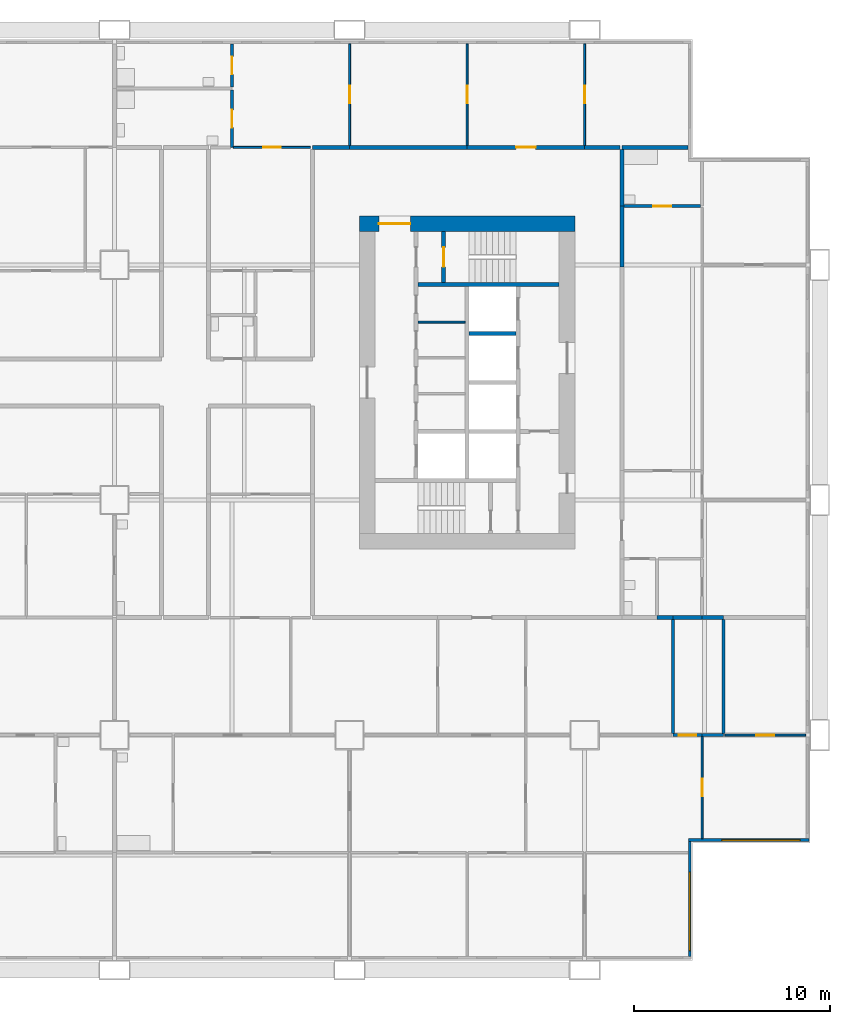
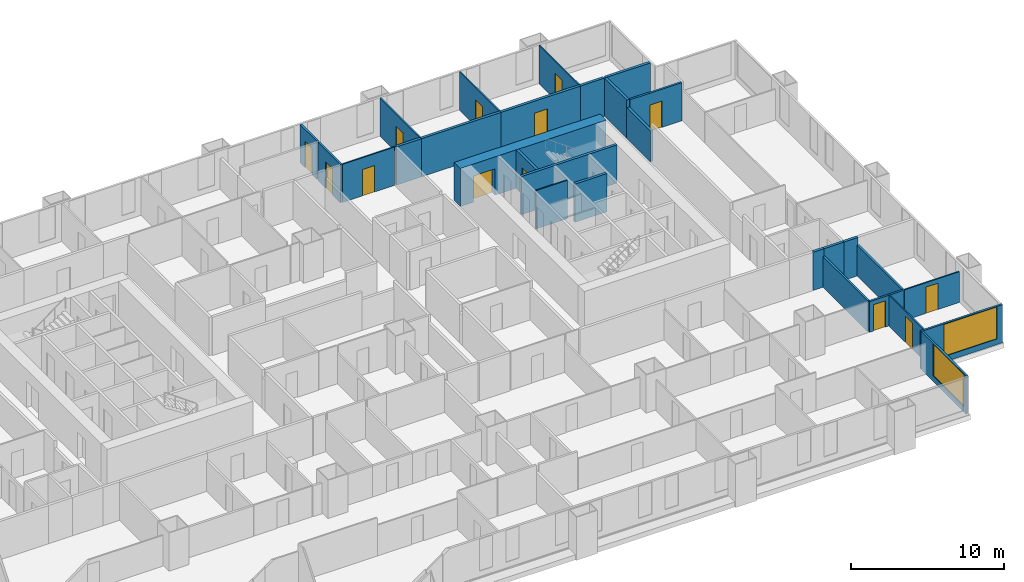
# One storey, part 10 of 14: 30 walls, 13 doors, 2 windows, 15 openings.
"""IFC4 building model written with IfcOpenShell, lengths in metres."""

from ifc_helpers import new_model, si_unit, direction, frame, frame_2d, origin, place, context, subcontext, project, spatial, rectangle, extrude, material, layer, layer_set, type_object, element, fill, save


model = new_model("IFC4")

# Units and contexts
model_context = context("Model", 3, precision=1e-05, world=origin(), true_north=direction((0.0, 1.0)))
body_context = subcontext(model_context, "Body", "Model", "MODEL_VIEW")
ifc_project = project(units=[si_unit("LENGTHUNIT", "METRE"), si_unit("AREAUNIT", "SQUARE_METRE"), si_unit("VOLUMEUNIT", "CUBIC_METRE"), si_unit("PLANEANGLEUNIT", "RADIAN"), si_unit("MASSUNIT", "GRAM", prefix="KILO")], contexts=[model_context])

# Site, building, storey
site_placement = place(None, origin())
site = spatial("IfcSite", under=ifc_project, at=site_placement, CompositionType="ELEMENT")
building_placement = place(site_placement, origin())
building = spatial("IfcBuilding", under=site, at=building_placement, Name="Kitamizu Gate Tower and Museum", CompositionType="ELEMENT")
storey_placement = place(building_placement, frame((0.0, 0.0, 74.85009765625)))
storey = spatial("IfcBuildingStorey", under=building, at=storey_placement, Name="L18", CompositionType="ELEMENT", Elevation=74.85009765625)

# Wall, opening, door
ifc_material_1 = material(Name="Concrete Fc60", Category="concrete")
ifc_layer_1 = layer(ifc_material_1, 0.800048828125)
ifc_layer_set_1 = layer_set([ifc_layer_1], Name="Concrete Fc60")
wall_type_1 = type_object("IfcWallType", Name="Core wall 800", PredefinedType="SHEAR", material=ifc_layer_set_1)
wall_1_placement = place(storey_placement, frame((59.5, 38.10009765625, 0.0), z_axis=(0.0, 0.0, 1.0), x_axis=(-1.0, 0.0, 0.0)))
wall_1 = element("IfcWall", 1, at=wall_1_placement, inside=storey, type_object=wall_type_1, Name="Core wall EN", PredefinedType="SHEAR", context=body_context, shape_type="SweptSolid", body=[
    extrude(rectangle(XDim=11.0, YDim=0.800048828125, at=frame_2d((5.5, 0.0))), origin(), (0.0, 0.0, 1.0), 3.0498046875),
])
opening_1_placement = place(wall_1_placement, frame((8.39990234375, 0.0, 0.0)))
opening_1 = element("IfcOpeningElement", 2, at=opening_1_placement, cuts=wall_1, Name="Opening L18-091", PredefinedType="OPENING", context=body_context, shape_type="SweptSolid", body=[
    extrude(rectangle(XDim=1.60009765625, YDim=2.10009765625, at=frame_2d((0.800048828125, 1.050048828125))), frame((0.0, 0.41015625, 0.0), z_axis=(0.0, -1.0, 0.0), x_axis=(1.0, 0.0, 0.0)), (0.0, 0.0, 1.0), 0.820068359375),
])
ifc_material_2 = material(Name="Timber door set", Category="wood")
door_type_1 = type_object("IfcDoorType", Name="Entrance door 1600", OperationType="DOUBLE_DOOR_SINGLE_SWING", PredefinedType="DOOR", material=ifc_material_2)
door_1_placement = place(opening_1_placement, origin())
door_1 = element("IfcDoor", 3, at=door_1_placement, inside=storey, type_object=door_type_1, Name="Lobby door L18-091", OperationType="DOUBLE_DOOR_SINGLE_SWING", OverallHeight=2.10009765625, OverallWidth=1.60009765625, PredefinedType="DOOR", context=body_context, shape_type="SweptSolid", body=[
    extrude(rectangle(XDim=1.60009765625, YDim=2.10009765625, at=frame_2d((0.800048828125, 1.050048828125))), frame((0.0, 0.02490234375, 0.0), z_axis=(0.0, -1.0, 0.0), x_axis=(1.0, 0.0, 0.0)), (0.0, 0.0, 1.0), 0.050048828125),
])
fill(opening_1, door_1)

# Wall
ifc_material_3 = material(Name="Gypsum board on galvanised stud")
ifc_layer_2 = layer(ifc_material_3, 0.10009765625)
ifc_layer_set_2 = layer_set([ifc_layer_2], Name="Gypsum board on galvanised stud")
wall_type_2 = type_object("IfcWallType", Name="Partition 100", PredefinedType="PARTITIONING", material=ifc_layer_set_2)
wall_2_placement = place(storey_placement, frame((53.89990234375, 33.074951171875, 0.0), z_axis=(0.0, 0.0, 1.0), x_axis=(-1.0, 0.0, 0.0)))
element("IfcWall", 4, at=wall_2_placement, inside=storey, type_object=wall_type_2, Name="Partition EPF3", PredefinedType="PARTITIONING", context=body_context, shape_type="SweptSolid", body=[
    extrude(rectangle(XDim=2.39990234375, YDim=0.10009765625, at=frame_2d((1.199951171875, 0.0))), origin(), (0.0, 0.0, 1.0), 3.0498046875),
])

# Wall, opening, door
ifc_material_4 = material(Name="Gypsum board on galvanised stud")
ifc_layer_3 = layer(ifc_material_4, 0.10009765625)
ifc_layer_set_3 = layer_set([ifc_layer_3], Name="Gypsum board on galvanised stud")
wall_type_3 = type_object("IfcWallType", Name="Partition 100 NOT RATED", PredefinedType="PARTITIONING", material=ifc_layer_set_3)
wall_3_placement = place(storey_placement, frame((66.0, 6.719970703125, 0.0), z_axis=(0.0, 0.0, 1.0), x_axis=(0.0, 1.0, 0.0)))
wall_3 = element("IfcWall", 5, at=wall_3_placement, inside=storey, type_object=wall_type_3, Name="Partition L18-091", PredefinedType="PARTITIONING", context=body_context, shape_type="SweptSolid", body=[
    extrude(rectangle(XDim=5.205078125, YDim=0.10009765625, at=frame_2d((2.6025390625, 0.0))), origin(), (0.0, 0.0, 1.0), 2.449951171875),
])
opening_2_placement = place(wall_3_placement, frame((2.152587890625, 0.0, 0.0)))
opening_2 = element("IfcOpeningElement", 6, at=opening_2_placement, cuts=wall_3, Name="Opening L18-033", PredefinedType="OPENING", context=body_context, shape_type="SweptSolid", body=[
    extrude(rectangle(XDim=0.89990234375, YDim=2.10009765625, at=frame_2d((0.449951171875, 1.050048828125))), frame((0.0, 0.06005859375, 0.0), z_axis=(0.0, -1.0, 0.0), x_axis=(1.0, 0.0, 0.0)), (0.0, 0.0, 1.0), 0.1201171875),
])
ifc_material_5 = material(Name="Timber door set", Category="wood")
door_type_2 = type_object("IfcDoorType", Name="Room door 900", OperationType="NOTDEFINED", PredefinedType="DOOR", material=ifc_material_5)
door_2_placement = place(opening_2_placement, origin())
door_2 = element("IfcDoor", 7, at=door_2_placement, inside=storey, type_object=door_type_2, Name="Door L18-033", OperationType="SINGLE_SWING_LEFT", OverallHeight=2.10009765625, OverallWidth=0.89990234375, PredefinedType="DOOR", context=body_context, shape_type="SweptSolid", body=[
    extrude(rectangle(XDim=0.89990234375, YDim=2.10009765625, at=frame_2d((0.449951171875, 1.050048828125))), frame((0.0, 0.02490234375, 0.0), z_axis=(0.0, -1.0, 0.0), x_axis=(1.0, 0.0, 0.0)), (0.0, 0.0, 1.0), 0.050048828125),
])
fill(opening_2, door_2)

wall_4_placement = place(storey_placement, frame((71.280029296875, 12.0, 0.0), z_axis=(0.0, 0.0, 1.0), x_axis=(-1.0, 0.0, 0.0)))
wall_4 = element("IfcWall", 8, at=wall_4_placement, inside=storey, type_object=wall_type_3, Name="Partition L18-095", PredefinedType="PARTITIONING", context=body_context, shape_type="SweptSolid", body=[
    extrude(rectangle(XDim=4.129150390625, YDim=0.10009765625, at=frame_2d((2.064453125, 0.0))), origin(), (0.0, 0.0, 1.0), 2.449951171875),
])
opening_3_placement = place(wall_4_placement, frame((1.614501953125, 0.0, 0.0)))
opening_3 = element("IfcOpeningElement", 9, at=opening_3_placement, cuts=wall_4, Name="Opening L18-039", PredefinedType="OPENING", context=body_context, shape_type="SweptSolid", body=[
    extrude(rectangle(XDim=0.89990234375, YDim=2.10009765625, at=frame_2d((0.449951171875, 1.050048828125))), frame((0.0, 0.06005859375, 0.0), z_axis=(0.0, -1.0, 0.0), x_axis=(1.0, 0.0, 0.0)), (0.0, 0.0, 1.0), 0.1201171875),
])
door_3_placement = place(opening_3_placement, frame((0.89990234375, 0.0, 0.0), x_axis=(-1.0, 0.0, 0.0)))
door_3 = element("IfcDoor", 10, at=door_3_placement, inside=storey, type_object=door_type_2, Name="Door L18-039", OperationType="SINGLE_SWING_RIGHT", OverallHeight=2.10009765625, OverallWidth=0.89990234375, PredefinedType="DOOR", context=body_context, shape_type="SweptSolid", body=[
    extrude(rectangle(XDim=0.89990234375, YDim=2.10009765625, at=frame_2d((0.449951171875, 1.050048828125))), frame((0.0, 0.02490234375, 0.0), z_axis=(0.0, -1.0, 0.0), x_axis=(1.0, 0.0, 0.0)), (0.0, 0.0, 1.0), 0.050048828125),
])
fill(opening_3, door_3)

wall_5_placement = place(storey_placement, frame((48.0, 42.10009765625, 0.0), z_axis=(0.0, 0.0, 1.0), x_axis=(0.0, 1.0, 0.0)))
wall_5 = element("IfcWall", 11, at=wall_5_placement, inside=storey, type_object=wall_type_3, Name="Partition L18-176", PredefinedType="PARTITIONING", context=body_context, shape_type="SweptSolid", body=[
    extrude(rectangle(XDim=5.179931640625, YDim=0.10009765625, at=frame_2d((2.58984375, 0.0))), origin(), (0.0, 0.0, 1.0), 3.0498046875),
])
opening_4_placement = place(wall_5_placement, frame((2.139892578125, 0.0, 0.0)))
opening_4 = element("IfcOpeningElement", 12, at=opening_4_placement, cuts=wall_5, Name="Opening L18-064", PredefinedType="OPENING", context=body_context, shape_type="SweptSolid", body=[
    extrude(rectangle(XDim=0.89990234375, YDim=2.10009765625, at=frame_2d((0.449951171875, 1.050048828125))), frame((0.0, 0.06005859375, 0.0), z_axis=(0.0, -1.0, 0.0), x_axis=(1.0, 0.0, 0.0)), (0.0, 0.0, 1.0), 0.1201171875),
])
door_4_placement = place(opening_4_placement, origin())
door_4 = element("IfcDoor", 13, at=door_4_placement, inside=storey, type_object=door_type_2, Name="Door L18-064", OperationType="SINGLE_SWING_LEFT", OverallHeight=2.10009765625, OverallWidth=0.89990234375, PredefinedType="DOOR", context=body_context, shape_type="SweptSolid", body=[
    extrude(rectangle(XDim=0.89990234375, YDim=2.10009765625, at=frame_2d((0.449951171875, 1.050048828125))), frame((0.0, 0.02490234375, 0.0), z_axis=(0.0, -1.0, 0.0), x_axis=(1.0, 0.0, 0.0)), (0.0, 0.0, 1.0), 0.050048828125),
])
fill(opening_4, door_4)

wall_6_placement = place(storey_placement, frame((42.074951171875, 42.0, 0.0), z_axis=(0.0, 0.0, 1.0), x_axis=(1.0, 0.0, 0.0)))
wall_6 = element("IfcWall", 14, at=wall_6_placement, inside=storey, type_object=wall_type_3, Name="Partition L18-177", PredefinedType="PARTITIONING", context=body_context, shape_type="SweptSolid", body=[
    extrude(rectangle(XDim=3.925048828125, YDim=0.10009765625, at=frame_2d((1.96240234375, 0.0))), origin(), (0.0, 0.0, 1.0), 3.0498046875),
])
opening_5_placement = place(wall_6_placement, frame((1.512451171875, 0.0, 0.0)))
opening_5 = element("IfcOpeningElement", 15, at=opening_5_placement, cuts=wall_6, Name="Opening L18-067", PredefinedType="OPENING", context=body_context, shape_type="SweptSolid", body=[
    extrude(rectangle(XDim=0.89990234375, YDim=2.10009765625, at=frame_2d((0.449951171875, 1.050048828125))), frame((0.0, 0.06005859375, 0.0), z_axis=(0.0, -1.0, 0.0), x_axis=(1.0, 0.0, 0.0)), (0.0, 0.0, 1.0), 0.1201171875),
])
door_5_placement = place(opening_5_placement, origin())
door_5 = element("IfcDoor", 16, at=door_5_placement, inside=storey, type_object=door_type_2, Name="Door L18-067", OperationType="SINGLE_SWING_RIGHT", OverallHeight=2.10009765625, OverallWidth=0.89990234375, PredefinedType="DOOR", context=body_context, shape_type="SweptSolid", body=[
    extrude(rectangle(XDim=0.89990234375, YDim=2.10009765625, at=frame_2d((0.449951171875, 1.050048828125))), frame((0.0, 0.02490234375, 0.0), z_axis=(0.0, -1.0, 0.0), x_axis=(1.0, 0.0, 0.0)), (0.0, 0.0, 1.0), 0.050048828125),
])
fill(opening_5, door_5)

wall_7_placement = place(storey_placement, frame((54.0, 42.10009765625, 0.0), z_axis=(0.0, 0.0, 1.0), x_axis=(0.0, 1.0, 0.0)))
wall_7 = element("IfcWall", 17, at=wall_7_placement, inside=storey, type_object=wall_type_3, Name="Partition L18-179", PredefinedType="PARTITIONING", context=body_context, shape_type="SweptSolid", body=[
    extrude(rectangle(XDim=5.179931640625, YDim=0.10009765625, at=frame_2d((2.58984375, 0.0))), origin(), (0.0, 0.0, 1.0), 3.0498046875),
])
opening_6_placement = place(wall_7_placement, frame((2.139892578125, 0.0, 0.0)))
opening_6 = element("IfcOpeningElement", 18, at=opening_6_placement, cuts=wall_7, Name="Opening L18-062", PredefinedType="OPENING", context=body_context, shape_type="SweptSolid", body=[
    extrude(rectangle(XDim=0.89990234375, YDim=2.10009765625, at=frame_2d((0.449951171875, 1.050048828125))), frame((0.0, 0.06005859375, 0.0), z_axis=(0.0, -1.0, 0.0), x_axis=(1.0, 0.0, 0.0)), (0.0, 0.0, 1.0), 0.1201171875),
])
door_6_placement = place(opening_6_placement, origin())
door_6 = element("IfcDoor", 19, at=door_6_placement, inside=storey, type_object=door_type_2, Name="Door L18-062", OperationType="SINGLE_SWING_LEFT", OverallHeight=2.10009765625, OverallWidth=0.89990234375, PredefinedType="DOOR", context=body_context, shape_type="SweptSolid", body=[
    extrude(rectangle(XDim=0.89990234375, YDim=2.10009765625, at=frame_2d((0.449951171875, 1.050048828125))), frame((0.0, 0.02490234375, 0.0), z_axis=(0.0, -1.0, 0.0), x_axis=(1.0, 0.0, 0.0)), (0.0, 0.0, 1.0), 0.050048828125),
])
fill(opening_6, door_6)

wall_8_placement = place(storey_placement, frame((60.0, 42.10009765625, 0.0), z_axis=(0.0, 0.0, 1.0), x_axis=(0.0, 1.0, 0.0)))
wall_8 = element("IfcWall", 20, at=wall_8_placement, inside=storey, type_object=wall_type_3, Name="Partition L18-181", PredefinedType="PARTITIONING", context=body_context, shape_type="SweptSolid", body=[
    extrude(rectangle(XDim=5.179931640625, YDim=0.10009765625, at=frame_2d((2.58984375, 0.0))), origin(), (0.0, 0.0, 1.0), 3.0498046875),
])
opening_7_placement = place(wall_8_placement, frame((2.139892578125, 0.0, 0.0)))
opening_7 = element("IfcOpeningElement", 21, at=opening_7_placement, cuts=wall_8, Name="Opening L18-063", PredefinedType="OPENING", context=body_context, shape_type="SweptSolid", body=[
    extrude(rectangle(XDim=0.89990234375, YDim=2.10009765625, at=frame_2d((0.449951171875, 1.050048828125))), frame((0.0, 0.06005859375, 0.0), z_axis=(0.0, -1.0, 0.0), x_axis=(1.0, 0.0, 0.0)), (0.0, 0.0, 1.0), 0.1201171875),
])
door_7_placement = place(opening_7_placement, frame((0.89990234375, 0.0, 0.0), x_axis=(-1.0, 0.0, 0.0)))
door_7 = element("IfcDoor", 22, at=door_7_placement, inside=storey, type_object=door_type_2, Name="Door L18-063", OperationType="SINGLE_SWING_LEFT", OverallHeight=2.10009765625, OverallWidth=0.89990234375, PredefinedType="DOOR", context=body_context, shape_type="SweptSolid", body=[
    extrude(rectangle(XDim=0.89990234375, YDim=2.10009765625, at=frame_2d((0.449951171875, 1.050048828125))), frame((0.0, 0.02490234375, 0.0), z_axis=(0.0, -1.0, 0.0), x_axis=(1.0, 0.0, 0.0)), (0.0, 0.0, 1.0), 0.050048828125),
])
fill(opening_7, door_7)

ifc_material_6 = material(Name="Gypsum board on galvanised stud")
ifc_layer_4 = layer(ifc_material_6, 0.14990234375)
ifc_layer_set_4 = layer_set([ifc_layer_4], Name="Gypsum board on galvanised stud")
wall_type_4 = type_object("IfcWallType", Name="Partition 150", PredefinedType="PARTITIONING", material=ifc_layer_set_4)
wall_9_placement = place(storey_placement, frame((66.0, 12.0, 0.0), z_axis=(0.0, 0.0, 1.0), x_axis=(-1.0, 0.0, 0.0)))
wall_9 = element("IfcWall", 23, at=wall_9_placement, inside=storey, type_object=wall_type_4, Name="Partition L18-094", PredefinedType="PARTITIONING", context=body_context, shape_type="SweptSolid", body=[
    extrude(rectangle(XDim=1.5, YDim=0.14990234375, at=frame_2d((0.75, 0.0))), origin(), (0.0, 0.0, 1.0), 2.449951171875),
])
opening_8_placement = place(wall_9_placement, frame((0.300048828125, 0.0, 0.0)))
opening_8 = element("IfcOpeningElement", 24, at=opening_8_placement, cuts=wall_9, Name="Opening L18-040", PredefinedType="OPENING", context=body_context, shape_type="SweptSolid", body=[
    extrude(rectangle(XDim=0.89990234375, YDim=2.10009765625, at=frame_2d((0.449951171875, 1.050048828125))), frame((0.0, 0.0849609375, 0.0), z_axis=(0.0, -1.0, 0.0), x_axis=(1.0, 0.0, 0.0)), (0.0, 0.0, 1.0), 0.169921875),
])
ifc_material_7 = material(Name="Timber door set", Category="wood")
door_type_3 = type_object("IfcDoorType", Name="Bathroom door 900", OperationType="NOTDEFINED", PredefinedType="DOOR", material=ifc_material_7)
door_8_placement = place(opening_8_placement, frame((0.89990234375, 0.0, 0.0), x_axis=(-1.0, 0.0, 0.0)))
door_8 = element("IfcDoor", 25, at=door_8_placement, inside=storey, type_object=door_type_3, Name="Bathroom door L18-040", OperationType="SINGLE_SWING_RIGHT", OverallHeight=2.10009765625, OverallWidth=0.89990234375, PredefinedType="DOOR", context=body_context, shape_type="SweptSolid", body=[
    extrude(rectangle(XDim=0.89990234375, YDim=2.10009765625, at=frame_2d((0.449951171875, 1.050048828125))), frame((0.0, 0.02490234375, 0.0), z_axis=(0.0, -1.0, 0.0), x_axis=(1.0, 0.0, 0.0)), (0.0, 0.0, 1.0), 0.050048828125),
])
fill(opening_8, door_8)

# Walls
wall_10_placement = place(storey_placement, frame((67.075927734375, 12.0, 0.0), z_axis=(0.0, 0.0, 1.0), x_axis=(-1.0, 0.0, 0.0)))
element("IfcWall", 26, at=wall_10_placement, inside=storey, type_object=wall_type_4, Name="Partition L18-096", PredefinedType="PARTITIONING", context=body_context, shape_type="SweptSolid", body=[
    extrude(rectangle(XDim=1.075927734375, YDim=0.14990234375, at=frame_2d((0.5380859375, 0.0))), origin(), (0.0, 0.0, 1.0), 2.449951171875),
])
for number, where, z_axis, x_axis, name in (
    (27, (64.5, 12.074951171875, 0.0), (0.0, 0.0, 1.0), (0.0, 1.0, 0.0), "Partition L18-105"),
    (28, (67.075927734375, 17.89990234375, 0.0), (0.0, 0.0, 1.0), (0.0, -1.0, 0.0), "Partition L18-109"),
):
    element("IfcWall", number, at=place(storey_placement, frame(where, z_axis=z_axis, x_axis=x_axis)), inside=storey, type_object=wall_type_4, Name=name, PredefinedType="PARTITIONING", context=body_context, shape_type="SweptSolid", body=[
        extrude(rectangle(XDim=5.824951171875, YDim=0.14990234375, at=frame_2d((2.91259765625, 0.0))), origin(), (0.0, 0.0, 1.0), 2.449951171875),
    ])

# Wall, opening, door
wall_11_placement = place(storey_placement, frame((65.925048828125, 39.0, 0.0), z_axis=(0.0, 0.0, 1.0), x_axis=(-1.0, 0.0, 0.0)))
wall_11 = element("IfcWall", 29, at=wall_11_placement, inside=storey, type_object=wall_type_4, Name="Partition L18-135", PredefinedType="PARTITIONING", context=body_context, shape_type="SweptSolid", body=[
    extrude(rectangle(XDim=3.925048828125, YDim=0.14990234375, at=frame_2d((1.96240234375, 0.0))), origin(), (0.0, 0.0, 1.0), 3.0498046875),
])
opening_9_placement = place(wall_11_placement, frame((1.512451171875, 0.0, 0.0)))
opening_9 = element("IfcOpeningElement", 30, at=opening_9_placement, cuts=wall_11, Name="Opening L18-050", PredefinedType="OPENING", context=body_context, shape_type="SweptSolid", body=[
    extrude(rectangle(XDim=0.89990234375, YDim=2.10009765625, at=frame_2d((0.449951171875, 1.050048828125))), frame((0.0, 0.0849609375, 0.0), z_axis=(0.0, -1.0, 0.0), x_axis=(1.0, 0.0, 0.0)), (0.0, 0.0, 1.0), 0.169921875),
])
door_9_placement = place(opening_9_placement, frame((0.89990234375, 0.0, 0.0), x_axis=(-1.0, 0.0, 0.0)))
door_9 = element("IfcDoor", 31, at=door_9_placement, inside=storey, type_object=door_type_3, Name="Bathroom door L18-050", OperationType="SINGLE_SWING_LEFT", OverallHeight=2.10009765625, OverallWidth=0.89990234375, PredefinedType="DOOR", context=body_context, shape_type="SweptSolid", body=[
    extrude(rectangle(XDim=0.89990234375, YDim=2.10009765625, at=frame_2d((0.449951171875, 1.050048828125))), frame((0.0, 0.02490234375, 0.0), z_axis=(0.0, -1.0, 0.0), x_axis=(1.0, 0.0, 0.0)), (0.0, 0.0, 1.0), 0.050048828125),
])
fill(opening_9, door_9)

wall_12_placement = place(storey_placement, frame((42.0, 42.0, 0.0), z_axis=(0.0, 0.0, 1.0), x_axis=(0.0, 1.0, 0.0)))
wall_12 = element("IfcWall", 32, at=wall_12_placement, inside=storey, type_object=wall_type_4, Name="Partition L18-172", PredefinedType="PARTITIONING", context=body_context, shape_type="SweptSolid", body=[
    extrude(rectangle(XDim=2.925048828125, YDim=0.14990234375, at=frame_2d((1.46240234375, 0.0))), origin(), (0.0, 0.0, 1.0), 3.0498046875),
])
opening_10_placement = place(wall_12_placement, frame((1.012451171875, 0.0, 0.0)))
opening_10 = element("IfcOpeningElement", 33, at=opening_10_placement, cuts=wall_12, Name="Opening L18-065", PredefinedType="OPENING", context=body_context, shape_type="SweptSolid", body=[
    extrude(rectangle(XDim=0.89990234375, YDim=2.10009765625, at=frame_2d((0.449951171875, 1.050048828125))), frame((0.0, 0.0849609375, 0.0), z_axis=(0.0, -1.0, 0.0), x_axis=(1.0, 0.0, 0.0)), (0.0, 0.0, 1.0), 0.169921875),
])
door_10_placement = place(opening_10_placement, origin())
door_10 = element("IfcDoor", 34, at=door_10_placement, inside=storey, type_object=door_type_3, Name="Bathroom door L18-065", OperationType="SINGLE_SWING_RIGHT", OverallHeight=2.10009765625, OverallWidth=0.89990234375, PredefinedType="DOOR", context=body_context, shape_type="SweptSolid", body=[
    extrude(rectangle(XDim=0.89990234375, YDim=2.10009765625, at=frame_2d((0.449951171875, 1.050048828125))), frame((0.0, 0.02490234375, 0.0), z_axis=(0.0, -1.0, 0.0), x_axis=(1.0, 0.0, 0.0)), (0.0, 0.0, 1.0), 0.050048828125),
])
fill(opening_10, door_10)

wall_13_placement = place(storey_placement, frame((42.0, 45.074951171875, 0.0), z_axis=(0.0, 0.0, 1.0), x_axis=(0.0, 1.0, 0.0)))
wall_13 = element("IfcWall", 35, at=wall_13_placement, inside=storey, type_object=wall_type_4, Name="Partition L18-175", PredefinedType="PARTITIONING", context=body_context, shape_type="SweptSolid", body=[
    extrude(rectangle(XDim=2.205078125, YDim=0.14990234375, at=frame_2d((1.1025390625, 0.0))), origin(), (0.0, 0.0, 1.0), 3.0498046875),
])
opening_11_placement = place(wall_13_placement, frame((0.652587890625, 0.0, 0.0)))
opening_11 = element("IfcOpeningElement", 36, at=opening_11_placement, cuts=wall_13, Name="Opening L18-066", PredefinedType="OPENING", context=body_context, shape_type="SweptSolid", body=[
    extrude(rectangle(XDim=0.89990234375, YDim=2.10009765625, at=frame_2d((0.449951171875, 1.050048828125))), frame((0.0, 0.0849609375, 0.0), z_axis=(0.0, -1.0, 0.0), x_axis=(1.0, 0.0, 0.0)), (0.0, 0.0, 1.0), 0.169921875),
])
door_11_placement = place(opening_11_placement, origin())
door_11 = element("IfcDoor", 37, at=door_11_placement, inside=storey, type_object=door_type_3, Name="Bathroom door L18-066", OperationType="SINGLE_SWING_LEFT", OverallHeight=2.10009765625, OverallWidth=0.89990234375, PredefinedType="DOOR", context=body_context, shape_type="SweptSolid", body=[
    extrude(rectangle(XDim=0.89990234375, YDim=2.10009765625, at=frame_2d((0.449951171875, 1.050048828125))), frame((0.0, 0.02490234375, 0.0), z_axis=(0.0, -1.0, 0.0), x_axis=(1.0, 0.0, 0.0)), (0.0, 0.0, 1.0), 0.050048828125),
])
fill(opening_11, door_11)

# Walls
ifc_material_8 = material(Name="Gypsum board on galvanised stud")
ifc_layer_5 = layer(ifc_material_8, 0.199951171875)
ifc_layer_set_5 = layer_set([ifc_layer_5], Name="Gypsum board on galvanised stud")
wall_type_5 = type_object("IfcWallType", Name="Partition 200", PredefinedType="PARTITIONING", material=ifc_layer_set_5)
wall_14_placement = place(storey_placement, frame((64.5, 18.0, 0.0), z_axis=(0.0, 0.0, 1.0), x_axis=(-1.0, 0.0, 0.0)))
element("IfcWall", 38, at=wall_14_placement, inside=storey, type_object=wall_type_5, Name="Partition L18-107", PredefinedType="PARTITIONING", context=body_context, shape_type="SweptSolid", body=[
    extrude(rectangle(XDim=0.800048828125, YDim=0.199951171875, at=frame_2d((0.39990234375, 0.0))), origin(), (0.0, 0.0, 1.0), 3.0498046875),
])
wall_15_placement = place(storey_placement, frame((67.075927734375, 18.0, 0.0), z_axis=(0.0, 0.0, 1.0), x_axis=(-1.0, 0.0, 0.0)))
element("IfcWall", 39, at=wall_15_placement, inside=storey, type_object=wall_type_5, Name="Partition L18-111", PredefinedType="PARTITIONING", context=body_context, shape_type="SweptSolid", body=[
    extrude(rectangle(XDim=1.075927734375, YDim=0.199951171875, at=frame_2d((0.5380859375, 0.0))), origin(), (0.0, 0.0, 1.0), 3.0498046875),
])
wall_16_placement = place(storey_placement, frame((66.0, 18.0, 0.0), z_axis=(0.0, 0.0, 1.0), x_axis=(-1.0, 0.0, 0.0)))
element("IfcWall", 40, at=wall_16_placement, inside=storey, type_object=wall_type_5, Name="Partition L18-112", PredefinedType="PARTITIONING", context=body_context, shape_type="SweptSolid", body=[
    extrude(rectangle(XDim=1.5, YDim=0.199951171875, at=frame_2d((0.75, 0.0))), origin(), (0.0, 0.0, 1.0), 3.0498046875),
])
wall_17_placement = place(storey_placement, frame((61.89990234375, 39.0, 0.0), z_axis=(0.0, 0.0, 1.0), x_axis=(0.0, -1.0, 0.0)))
element("IfcWall", 41, at=wall_17_placement, inside=storey, type_object=wall_type_5, Name="Partition L18-136", PredefinedType="PARTITIONING", context=body_context, shape_type="SweptSolid", body=[
    extrude(rectangle(XDim=3.10009765625, YDim=0.199951171875, at=frame_2d((1.550048828125, 0.0))), origin(), (0.0, 0.0, 1.0), 2.449951171875),
])
wall_18_placement = place(storey_placement, frame((65.280029296875, 42.0, 0.0), z_axis=(0.0, 0.0, 1.0), x_axis=(-1.0, 0.0, 0.0)))
element("IfcWall", 42, at=wall_18_placement, inside=storey, type_object=wall_type_5, Name="Partition L18-138", PredefinedType="PARTITIONING", context=body_context, shape_type="SweptSolid", body=[
    extrude(rectangle(XDim=3.380126953125, YDim=0.199951171875, at=frame_2d((1.68994140625, 0.0))), origin(), (0.0, 0.0, 1.0), 3.0498046875),
])
wall_19_placement = place(storey_placement, frame((61.89990234375, 41.89990234375, 0.0), z_axis=(0.0, 0.0, 1.0), x_axis=(0.0, -1.0, 0.0)))
element("IfcWall", 43, at=wall_19_placement, inside=storey, type_object=wall_type_5, Name="Partition L18-139", PredefinedType="PARTITIONING", context=body_context, shape_type="SweptSolid", body=[
    extrude(rectangle(XDim=2.89990234375, YDim=0.199951171875, at=frame_2d((1.449951171875, 0.0))), origin(), (0.0, 0.0, 1.0), 3.0498046875),
])
wall_20_placement = place(storey_placement, frame((46.10009765625, 42.0, 0.0), z_axis=(0.0, 0.0, 1.0), x_axis=(1.0, 0.0, 0.0)))
element("IfcWall", 44, at=wall_20_placement, inside=storey, type_object=wall_type_5, Name="Partition L18-178", PredefinedType="PARTITIONING", context=body_context, shape_type="SweptSolid", body=[
    extrude(rectangle(XDim=1.89990234375, YDim=0.199951171875, at=frame_2d((0.949951171875, 0.0))), origin(), (0.0, 0.0, 1.0), 3.0498046875),
])
wall_21_placement = place(storey_placement, frame((48.0, 42.0, 0.0), z_axis=(0.0, 0.0, 1.0), x_axis=(1.0, 0.0, 0.0)))
element("IfcWall", 45, at=wall_21_placement, inside=storey, type_object=wall_type_5, Name="Partition L18-180", PredefinedType="PARTITIONING", context=body_context, shape_type="SweptSolid", body=[
    extrude(rectangle(XDim=6.0, YDim=0.199951171875, at=frame_2d((3.0, 0.0))), origin(), (0.0, 0.0, 1.0), 3.0498046875),
])

# Wall, opening, door
wall_22_placement = place(storey_placement, frame((54.0, 42.0, 0.0), z_axis=(0.0, 0.0, 1.0), x_axis=(1.0, 0.0, 0.0)))
wall_22 = element("IfcWall", 46, at=wall_22_placement, inside=storey, type_object=wall_type_5, Name="Partition L18-182", PredefinedType="PARTITIONING", context=body_context, shape_type="SweptSolid", body=[
    extrude(rectangle(XDim=6.0, YDim=0.199951171875, at=frame_2d((3.0, 0.0))), origin(), (0.0, 0.0, 1.0), 3.0498046875),
])
opening_12_placement = place(wall_22_placement, frame((2.5, 0.0, 0.0)))
opening_12 = element("IfcOpeningElement", 47, at=opening_12_placement, cuts=wall_22, Name="Opening L18-061", PredefinedType="OPENING", context=body_context, shape_type="SweptSolid", body=[
    extrude(rectangle(XDim=1.0, YDim=2.10009765625, at=frame_2d((0.5, 1.050048828125))), frame((0.0, 0.10986328125, 0.0), z_axis=(0.0, -1.0, 0.0), x_axis=(1.0, 0.0, 0.0)), (0.0, 0.0, 1.0), 0.219970703125),
])
ifc_material_9 = material(Name="Timber door set", Category="wood")
door_type_4 = type_object("IfcDoorType", Name="Flat entrance door 1000", OperationType="NOTDEFINED", PredefinedType="DOOR", material=ifc_material_9)
door_12_placement = place(opening_12_placement, origin())
door_12 = element("IfcDoor", 48, at=door_12_placement, inside=storey, type_object=door_type_4, Name="Flat entrance door L18-061", OperationType="SINGLE_SWING_RIGHT", OverallHeight=2.10009765625, OverallWidth=1.0, PredefinedType="DOOR", context=body_context, shape_type="SweptSolid", body=[
    extrude(rectangle(XDim=1.0, YDim=2.10009765625, at=frame_2d((0.5, 1.050048828125))), frame((0.0, 0.02490234375, 0.0), z_axis=(0.0, -1.0, 0.0), x_axis=(1.0, 0.0, 0.0)), (0.0, 0.0, 1.0), 0.050048828125),
])
fill(opening_12, door_12)

# Walls
wall_23_placement = place(storey_placement, frame((60.0, 42.0, 0.0), z_axis=(0.0, 0.0, 1.0), x_axis=(1.0, 0.0, 0.0)))
element("IfcWall", 49, at=wall_23_placement, inside=storey, type_object=wall_type_5, Name="Partition L18-183", PredefinedType="PARTITIONING", context=body_context, shape_type="SweptSolid", body=[
    extrude(rectangle(XDim=1.800048828125, YDim=0.199951171875, at=frame_2d((0.89990234375, 0.0))), origin(), (0.0, 0.0, 1.0), 3.0498046875),
])
ifc_material_10 = material(Name="Concrete Fc42", Category="concrete")
ifc_layer_6 = layer(ifc_material_10, 0.199951171875)
ifc_layer_set_6 = layer_set([ifc_layer_6], Name="Concrete Fc42")
wall_type_6 = type_object("IfcWallType", Name="Shaft wall 200", PredefinedType="SOLIDWALL", material=ifc_layer_set_6)
wall_24_placement = place(storey_placement, frame((58.699951171875, 35.0, 0.0), z_axis=(0.0, 0.0, 1.0), x_axis=(-1.0, 0.0, 0.0)))
element("IfcWall", 50, at=wall_24_placement, inside=storey, type_object=wall_type_6, Name="Shaft wall ENB", PredefinedType="SOLIDWALL", context=body_context, shape_type="SweptSolid", body=[
    extrude(rectangle(XDim=7.199951171875, YDim=0.199951171875, at=frame_2d((3.60009765625, 0.0))), origin(), (0.0, 0.0, 1.0), 3.0498046875),
])

# Wall, opening, door
wall_25_placement = place(storey_placement, frame((52.800048828125, 35.10009765625, 0.0), z_axis=(0.0, 0.0, 1.0), x_axis=(0.0, 1.0, 0.0)))
wall_25 = element("IfcWall", 51, at=wall_25_placement, inside=storey, type_object=wall_type_6, Name="Shaft wall ENZ", PredefinedType="SOLIDWALL", context=body_context, shape_type="SweptSolid", body=[
    extrude(rectangle(XDim=2.599853515625, YDim=0.199951171875, at=frame_2d((1.2998046875, 0.0))), origin(), (0.0, 0.0, 1.0), 3.0498046875),
])
opening_13_placement = place(wall_25_placement, frame((0.800048828125, 0.0, 0.0)))
opening_13 = element("IfcOpeningElement", 52, at=opening_13_placement, cuts=wall_25, Name="Opening L18-087", PredefinedType="OPENING", context=body_context, shape_type="SweptSolid", body=[
    extrude(rectangle(XDim=1.0, YDim=2.10009765625, at=frame_2d((0.5, 1.050048828125))), frame((0.0, 0.10986328125, 0.0), z_axis=(0.0, -1.0, 0.0), x_axis=(1.0, 0.0, 0.0)), (0.0, 0.0, 1.0), 0.219970703125),
])
ifc_material_11 = material(Name="Hollow metal door set")
door_type_5 = type_object("IfcDoorType", Name="Fire door 1000", OperationType="NOTDEFINED", PredefinedType="DOOR", material=ifc_material_11)
door_13_placement = place(opening_13_placement, frame((1.0, 0.0, 0.0), x_axis=(-1.0, 0.0, 0.0)))
door_13 = element("IfcDoor", 53, at=door_13_placement, inside=storey, type_object=door_type_5, Name="Stair door L18-087", OperationType="SINGLE_SWING_RIGHT", OverallHeight=2.10009765625, OverallWidth=1.0, PredefinedType="DOOR", context=body_context, shape_type="SweptSolid", body=[
    extrude(rectangle(XDim=1.0, YDim=2.10009765625, at=frame_2d((0.5, 1.050048828125))), frame((0.0, 0.02490234375, 0.0), z_axis=(0.0, -1.0, 0.0), x_axis=(1.0, 0.0, 0.0)), (0.0, 0.0, 1.0), 0.050048828125),
])
fill(opening_13, door_13)

# Wall
wall_26_placement = place(storey_placement, frame((56.5, 32.5, 0.0), z_axis=(0.0, 0.0, 1.0), x_axis=(-1.0, 0.0, 0.0)))
element("IfcWall", 54, at=wall_26_placement, inside=storey, type_object=wall_type_6, Name="Shaft wall EDVW2", PredefinedType="SOLIDWALL", context=body_context, shape_type="SweptSolid", body=[
    extrude(rectangle(XDim=2.39990234375, YDim=0.199951171875, at=frame_2d((1.199951171875, 0.0))), origin(), (0.0, 0.0, 1.0), 3.0498046875),
])

# Wall, opening, window
ifc_material_12 = material(Name="Bronze anodised aluminium frame with insulated spandrel and tinted glass", Category="aluminium")
ifc_layer_7 = layer(ifc_material_12, 0.14990234375)
ifc_layer_set_7 = layer_set([ifc_layer_7], Name="Bronze anodised aluminium frame with insulated spandrel and tinted glass")
wall_type_7 = type_object("IfcWallType", Name="WINDOW WALL 150 BRONZE FRAME EI 30", PredefinedType="ELEMENTEDWALL", material=ifc_layer_set_7)
wall_27_placement = place(storey_placement, frame((65.364990234375, 0.7099609375, 0.0), z_axis=(0.0, 0.0, 1.0), x_axis=(0.0, 1.0, 0.0)))
wall_27 = element("IfcWall", 55, at=wall_27_placement, inside=storey, type_object=wall_type_7, Name="Window wall east L18", PredefinedType="ELEMENTEDWALL", context=body_context, shape_type="SweptSolid", body=[
    extrude(rectangle(XDim=5.85009765625, YDim=0.14990234375, at=frame_2d((2.925048828125, 0.0))), origin(), (0.0, 0.0, 1.0), 3.0498046875),
])
opening_14_placement = place(wall_27_placement, frame((0.2900390625, 0.0, 0.449951171875)))
opening_14 = element("IfcOpeningElement", 56, at=opening_14_placement, cuts=wall_27, Name="Opening W16", PredefinedType="OPENING", context=body_context, shape_type="SweptSolid", body=[
    extrude(rectangle(XDim=4.0, YDim=2.550048828125, at=frame_2d((2.0, 1.27490234375))), frame((0.0, 0.0849609375, 0.0), z_axis=(0.0, -1.0, 0.0), x_axis=(1.0, 0.0, 0.0)), (0.0, 0.0, 1.0), 0.169921875),
])
ifc_material_13 = material(Name="Bronze anodised aluminium frame, tinted triple glazing", Category="aluminium")
window_type = type_object("IfcWindowType", Name="WINDOW 4000 x 2550 SILL 450", PartitioningType="SINGLE_PANEL", PredefinedType="WINDOW", material=ifc_material_13)
window_1_placement = place(opening_14_placement, origin())
window_1 = element("IfcWindow", 57, at=window_1_placement, inside=storey, type_object=window_type, Name="Window W16 L18", OverallHeight=2.550048828125, OverallWidth=4.0, PartitioningType="SINGLE_PANEL", PredefinedType="WINDOW", context=body_context, shape_type="SweptSolid", body=[
    extrude(rectangle(XDim=4.0, YDim=2.550048828125, at=frame_2d((2.0, 1.27490234375))), frame((0.0, 0.030029296875, 0.0), z_axis=(0.0, -1.0, 0.0), x_axis=(1.0, 0.0, 0.0)), (0.0, 0.0, 1.0), 0.06005859375),
])
fill(opening_14, window_1)

wall_28_placement = place(storey_placement, frame((65.2900390625, 6.635009765625, 0.0), z_axis=(0.0, 0.0, 1.0), x_axis=(1.0, 0.0, 0.0)))
wall_28 = element("IfcWall", 58, at=wall_28_placement, inside=storey, type_object=wall_type_7, Name="Window wall south L18", PredefinedType="ELEMENTEDWALL", context=body_context, shape_type="SweptSolid", body=[
    extrude(rectangle(XDim=6.14990234375, YDim=0.14990234375, at=frame_2d((3.074951171875, 0.0))), origin(), (0.0, 0.0, 1.0), 3.0498046875),
])
opening_15_placement = place(wall_28_placement, frame((1.7099609375, 0.0, 0.449951171875)))
opening_15 = element("IfcOpeningElement", 59, at=opening_15_placement, cuts=wall_28, Name="Opening W16", PredefinedType="OPENING", context=body_context, shape_type="SweptSolid", body=[
    extrude(rectangle(XDim=4.0, YDim=2.550048828125, at=frame_2d((2.0, 1.27490234375))), frame((0.0, 0.0849609375, 0.0), z_axis=(0.0, -1.0, 0.0), x_axis=(1.0, 0.0, 0.0)), (0.0, 0.0, 1.0), 0.169921875),
])
window_2_placement = place(opening_15_placement, origin())
window_2 = element("IfcWindow", 60, at=window_2_placement, inside=storey, type_object=window_type, Name="Window W16 L18", OverallHeight=2.550048828125, OverallWidth=4.0, PartitioningType="SINGLE_PANEL", PredefinedType="WINDOW", context=body_context, shape_type="SweptSolid", body=[
    extrude(rectangle(XDim=4.0, YDim=2.550048828125, at=frame_2d((2.0, 1.27490234375))), frame((0.0, 0.030029296875, 0.0), z_axis=(0.0, -1.0, 0.0), x_axis=(1.0, 0.0, 0.0)), (0.0, 0.0, 1.0), 0.06005859375),
])
fill(opening_15, window_2)

save(model, "model.ifc")
